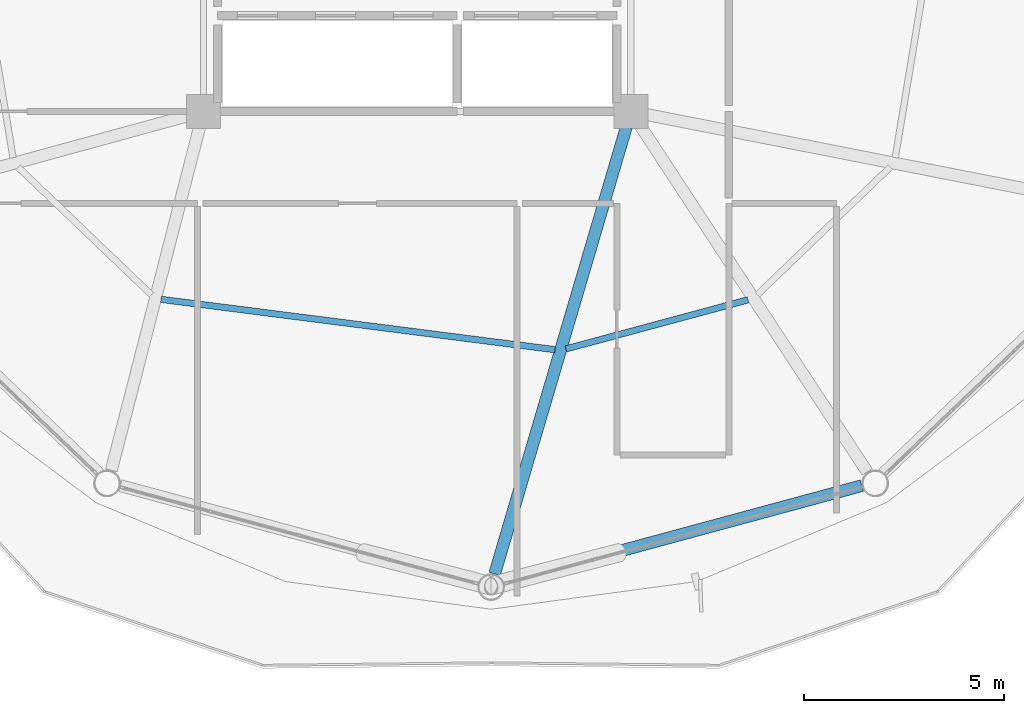
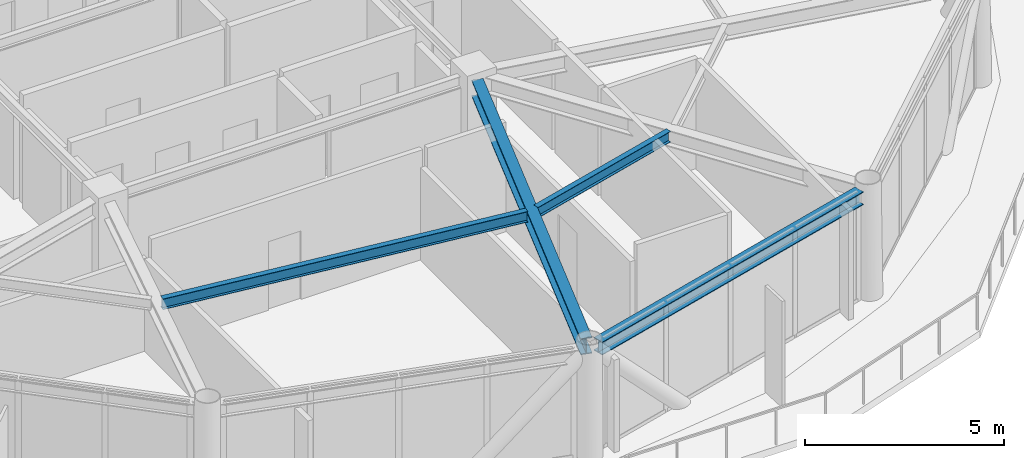
# One storey, part 8 of 28: 4 beams.
"""IFC4 building model written with IfcOpenShell, lengths in metres."""

from ifc_helpers import new_model, si_unit, direction, frame, origin, origin_2d, place, context, subcontext, project, spatial, i_section, extrude, material, material_profile, profile_set, type_object, element, save


model = new_model("IFC4")

# Units and contexts
model_context = context("Model", 3, precision=1e-05, world=origin(), true_north=direction((0.0, 1.0)))
body_context = subcontext(model_context, "Body", "Model", "MODEL_VIEW")
ifc_project = project(units=[si_unit("LENGTHUNIT", "METRE"), si_unit("AREAUNIT", "SQUARE_METRE"), si_unit("VOLUMEUNIT", "CUBIC_METRE"), si_unit("PLANEANGLEUNIT", "RADIAN"), si_unit("MASSUNIT", "GRAM", prefix="KILO")], contexts=[model_context])

# Site, building, storey
site_placement = place(None, origin())
site = spatial("IfcSite", under=ifc_project, at=site_placement, CompositionType="ELEMENT")
building_placement = place(site_placement, origin())
building = spatial("IfcBuilding", under=site, at=building_placement, Name="Varnakorn Sky Granary", CompositionType="ELEMENT")
storey_placement = place(building_placement, frame((0.0, 0.0, 200.39990234375)))
storey = spatial("IfcBuildingStorey", under=building, at=storey_placement, Name="L50", CompositionType="ELEMENT", Elevation=200.39990234375)

# Beams
ifc_material = material(Name="Steel S355JR", Category="steel")
ifc_material_profile_1 = material_profile(ifc_material, i_section(OverallWidth=0.300048828125, OverallDepth=0.5, WebThickness=0.014404296875, FlangeThickness=0.028076171875, at=origin_2d()), Name="HE 500 B")
ifc_profile_set_1 = profile_set([ifc_material_profile_1], Name="Steel S355JR")
beam_type_1 = type_object("IfcBeamType", Name="BM-RAD-Z4", PredefinedType="BEAM", material=ifc_profile_set_1)
beam_1_placement = place(storey_placement, frame((8.235595703125, -6.988525390625, 3.110107421875), z_axis=(-0.28263771475, -0.959226731383, 0.0), x_axis=(0.959226731383, -0.28263771475, 0.0)))
element("IfcBeam", 1, at=beam_1_placement, inside=storey, type_object=beam_type_1, Name="Radial Floor Girder RG10 L50", PredefinedType="BEAM", context=body_context, shape_type="SweptSolid", body=[
    extrude(i_section(OverallWidth=0.300048828125, OverallDepth=0.5, WebThickness=0.014404296875, FlangeThickness=0.028076171875, at=origin_2d()), origin(), (0.0, 0.0, 1.0), 11.663818359375),
])
ifc_material_profile_2 = material_profile(ifc_material, i_section(OverallWidth=0.159912109375, OverallDepth=0.330078125, WebThickness=0.007568359375, FlangeThickness=0.011474609375, at=origin_2d()), Name="IPE 330")
ifc_profile_set_2 = profile_set([ifc_material_profile_2], Name="Steel S355JR")
beam_type_2 = type_object("IfcBeamType", Name="BM-SEC-Z4", PredefinedType="BEAM", material=ifc_profile_set_2)
beam_2_placement = place(storey_placement, frame((-3.41552734375, -11.304443359375, 3.195068359375), z_axis=(0.991933827264, -0.126756784154, 0.0), x_axis=(0.126756784154, 0.991933827264, 0.0)))
element("IfcBeam", 2, at=beam_2_placement, inside=storey, type_object=beam_type_2, Name="Secondary Floor Chord Beam MSB09 L50", PredefinedType="BEAM", context=body_context, shape_type="SweptSolid", body=[
    extrude(i_section(OverallWidth=0.159912109375, OverallDepth=0.330078125, WebThickness=0.007568359375, FlangeThickness=0.011474609375, at=origin_2d()), origin(), (0.0, 0.0, 1.0), 9.9443359375),
])
beam_3_placement = place(storey_placement, frame((6.722412109375, -12.546142578125, 3.195068359375), z_axis=(0.965550346823, 0.26021630954, 0.0), x_axis=(-0.26021630954, 0.965550346823, 0.0)))
element("IfcBeam", 3, at=beam_3_placement, inside=storey, type_object=beam_type_2, Name="Secondary Floor Chord Beam MSB10 L50", PredefinedType="BEAM", context=body_context, shape_type="SweptSolid", body=[
    extrude(i_section(OverallWidth=0.159912109375, OverallDepth=0.330078125, WebThickness=0.007568359375, FlangeThickness=0.011474609375, at=origin_2d()), origin(), (0.0, 0.0, 1.0), 4.722900390625),
])
ifc_material_profile_3 = material_profile(ifc_material, i_section(OverallWidth=0.300048828125, OverallDepth=0.39990234375, WebThickness=0.013427734375, FlangeThickness=0.02392578125, at=origin_2d()), Name="HE 400 B")
ifc_profile_set_3 = profile_set([ifc_material_profile_3], Name="Steel S355JR")
beam_type_3 = type_object("IfcBeamType", Name="BM-SPD-Z4", PredefinedType="SPANDREL", material=ifc_profile_set_3)
beam_4_placement = place(storey_placement, frame((5.154052734375, -18.396728515625, 3.16015625), z_axis=(0.965318349203, 0.261075630215, 0.0), x_axis=(-0.261075630215, 0.965318349203, 0.0)))
element("IfcBeam", 4, at=beam_4_placement, inside=storey, type_object=beam_type_3, Name="Perimeter Spandrel Ring Beam RB10 L50", PredefinedType="SPANDREL", context=body_context, shape_type="SweptSolid", body=[
    extrude(i_section(OverallWidth=0.300048828125, OverallDepth=0.39990234375, WebThickness=0.013427734375, FlangeThickness=0.02392578125, at=origin_2d()), origin(), (0.0, 0.0, 1.0), 9.30078125),
])

save(model, "model.ifc")
